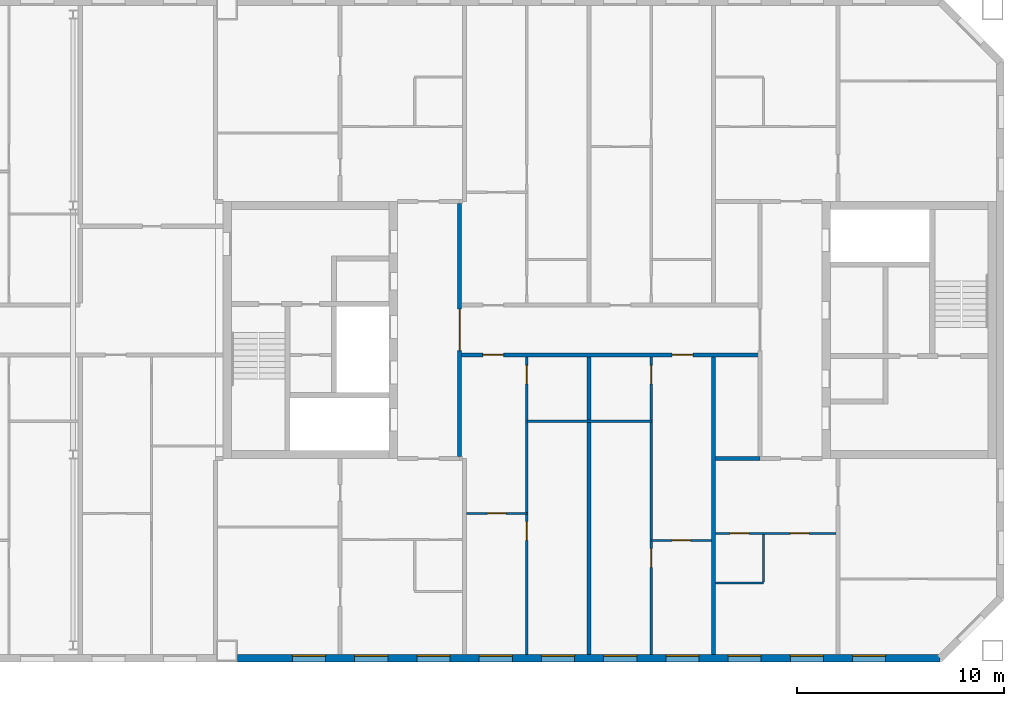
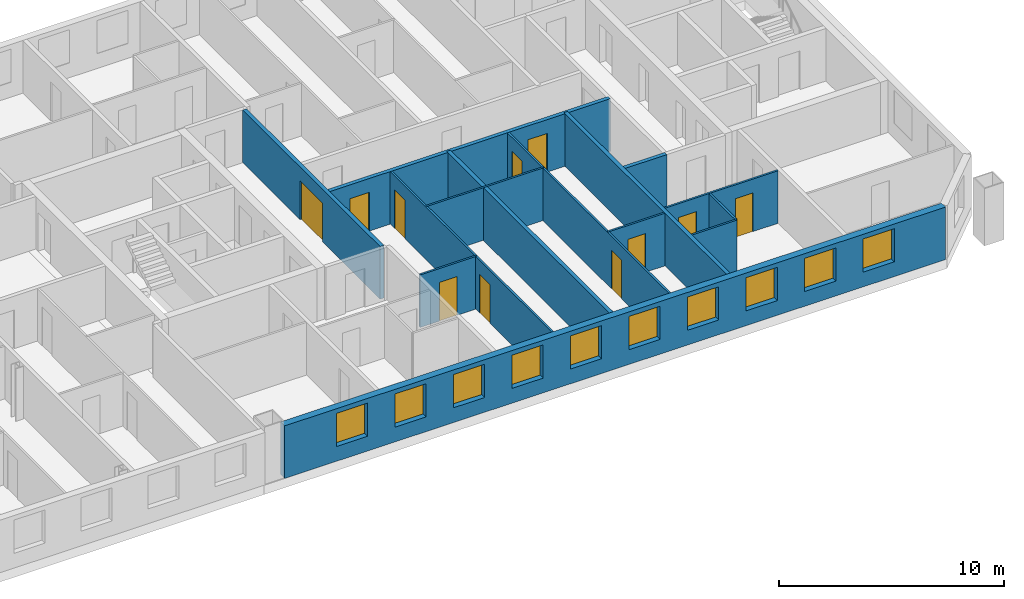
# One storey, part 14 of 19: 14 walls, 11 doors, 10 windows, 21 openings.
"""IFC4 building model written with IfcOpenShell, lengths in metres."""

from ifc_helpers import new_model, si_unit, direction, frame, frame_2d, origin, place, context, subcontext, project, spatial, rectangle, extrude, material, layer, layer_set, type_object, element, fill, save


model = new_model("IFC4")

# Units and contexts
model_context = context("Model", 3, precision=1e-05, world=origin(), true_north=direction((0.0, 1.0)))
body_context = subcontext(model_context, "Body", "Model", "MODEL_VIEW")
ifc_project = project(units=[si_unit("LENGTHUNIT", "METRE"), si_unit("AREAUNIT", "SQUARE_METRE"), si_unit("VOLUMEUNIT", "CUBIC_METRE"), si_unit("PLANEANGLEUNIT", "RADIAN"), si_unit("MASSUNIT", "GRAM", prefix="KILO")], contexts=[model_context])

# Site, building, storey
site_placement = place(None, origin())
site = spatial("IfcSite", under=ifc_project, at=site_placement, CompositionType="ELEMENT")
building_placement = place(site_placement, origin())
building = spatial("IfcBuilding", under=site, at=building_placement, Name="Tuart Gate Housing", CompositionType="ELEMENT")
storey_placement = place(building_placement, frame((0.0, 0.0, 202.800048828125)))
storey = spatial("IfcBuildingStorey", under=building, at=storey_placement, Name="L57", CompositionType="ELEMENT", Elevation=202.800048828125)

# Wall, openings, windows
ifc_material_1 = material(Name="Brick", Category="masonry")
ifc_layer_1 = layer(ifc_material_1, 0.360107421875)
ifc_layer_set_1 = layer_set([ifc_layer_1], Name="Brick pier and spandrel wall 360")
wall_type_1 = type_object("IfcWallType", Name="Brick pier and spandrel wall 360", PredefinedType="STANDARD", material=ifc_layer_set_1)
wall_1_placement = place(storey_placement, frame((132.050048828125, 54.179931640625, 0.0), z_axis=(0.0, 0.0, 1.0), x_axis=(1.0, 0.0, 0.0)))
wall_1 = element("IfcWall", 1, at=wall_1_placement, inside=storey, type_object=wall_type_1, Name="External wall BLK-S L57", PredefinedType="STANDARD", context=body_context, shape_type="SweptSolid", body=[
    extrude(rectangle(XDim=33.87548828125, YDim=0.360107421875, at=frame_2d((16.937744140625, 0.0))), origin(), (0.0, 0.0, 1.0), 2.849853515625),
])
opening_1_placement = place(wall_1_placement, frame((2.64990234375, 0.0, 0.800048828125)))
opening_1 = element("IfcOpeningElement", 2, at=opening_1_placement, cuts=wall_1, Name="Opening W1", PredefinedType="OPENING", context=body_context, shape_type="SweptSolid", body=[
    extrude(rectangle(XDim=1.60009765625, YDim=1.800048828125, at=frame_2d((0.800048828125, 0.89990234375))), frame((0.0, 0.18994140625, 0.0), z_axis=(0.0, -1.0, 0.0), x_axis=(1.0, 0.0, 0.0)), (0.0, 0.0, 1.0), 0.380126953125),
])
opening_2_placement = place(wall_1_placement, frame((5.64990234375, 0.0, 0.800048828125)))
opening_2 = element("IfcOpeningElement", 3, at=opening_2_placement, cuts=wall_1, Name="Opening W1", PredefinedType="OPENING", context=body_context, shape_type="SweptSolid", body=[
    extrude(rectangle(XDim=1.60009765625, YDim=1.800048828125, at=frame_2d((0.800048828125, 0.89990234375))), frame((0.0, 0.18994140625, 0.0), z_axis=(0.0, -1.0, 0.0), x_axis=(1.0, 0.0, 0.0)), (0.0, 0.0, 1.0), 0.380126953125),
])
opening_3_placement = place(wall_1_placement, frame((8.64990234375, 0.0, 0.800048828125)))
opening_3 = element("IfcOpeningElement", 4, at=opening_3_placement, cuts=wall_1, Name="Opening W1", PredefinedType="OPENING", context=body_context, shape_type="SweptSolid", body=[
    extrude(rectangle(XDim=1.60009765625, YDim=1.800048828125, at=frame_2d((0.800048828125, 0.89990234375))), frame((0.0, 0.18994140625, 0.0), z_axis=(0.0, -1.0, 0.0), x_axis=(1.0, 0.0, 0.0)), (0.0, 0.0, 1.0), 0.380126953125),
])
opening_4_placement = place(wall_1_placement, frame((11.64990234375, 0.0, 0.800048828125)))
opening_4 = element("IfcOpeningElement", 5, at=opening_4_placement, cuts=wall_1, Name="Opening W1", PredefinedType="OPENING", context=body_context, shape_type="SweptSolid", body=[
    extrude(rectangle(XDim=1.60009765625, YDim=1.800048828125, at=frame_2d((0.800048828125, 0.89990234375))), frame((0.0, 0.18994140625, 0.0), z_axis=(0.0, -1.0, 0.0), x_axis=(1.0, 0.0, 0.0)), (0.0, 0.0, 1.0), 0.380126953125),
])
opening_5_placement = place(wall_1_placement, frame((14.64990234375, 0.0, 0.800048828125)))
opening_5 = element("IfcOpeningElement", 6, at=opening_5_placement, cuts=wall_1, Name="Opening W1", PredefinedType="OPENING", context=body_context, shape_type="SweptSolid", body=[
    extrude(rectangle(XDim=1.60009765625, YDim=1.800048828125, at=frame_2d((0.800048828125, 0.89990234375))), frame((0.0, 0.18994140625, 0.0), z_axis=(0.0, -1.0, 0.0), x_axis=(1.0, 0.0, 0.0)), (0.0, 0.0, 1.0), 0.380126953125),
])
opening_6_placement = place(wall_1_placement, frame((17.64990234375, 0.0, 0.800048828125)))
opening_6 = element("IfcOpeningElement", 7, at=opening_6_placement, cuts=wall_1, Name="Opening W1", PredefinedType="OPENING", context=body_context, shape_type="SweptSolid", body=[
    extrude(rectangle(XDim=1.60009765625, YDim=1.800048828125, at=frame_2d((0.800048828125, 0.89990234375))), frame((0.0, 0.18994140625, 0.0), z_axis=(0.0, -1.0, 0.0), x_axis=(1.0, 0.0, 0.0)), (0.0, 0.0, 1.0), 0.380126953125),
])
opening_7_placement = place(wall_1_placement, frame((20.64990234375, 0.0, 0.800048828125)))
opening_7 = element("IfcOpeningElement", 8, at=opening_7_placement, cuts=wall_1, Name="Opening W1", PredefinedType="OPENING", context=body_context, shape_type="SweptSolid", body=[
    extrude(rectangle(XDim=1.60009765625, YDim=1.800048828125, at=frame_2d((0.800048828125, 0.89990234375))), frame((0.0, 0.18994140625, 0.0), z_axis=(0.0, -1.0, 0.0), x_axis=(1.0, 0.0, 0.0)), (0.0, 0.0, 1.0), 0.380126953125),
])
opening_8_placement = place(wall_1_placement, frame((23.64990234375, 0.0, 0.800048828125)))
opening_8 = element("IfcOpeningElement", 9, at=opening_8_placement, cuts=wall_1, Name="Opening W1", PredefinedType="OPENING", context=body_context, shape_type="SweptSolid", body=[
    extrude(rectangle(XDim=1.60009765625, YDim=1.800048828125, at=frame_2d((0.800048828125, 0.89990234375))), frame((0.0, 0.18994140625, 0.0), z_axis=(0.0, -1.0, 0.0), x_axis=(1.0, 0.0, 0.0)), (0.0, 0.0, 1.0), 0.380126953125),
])
opening_9_placement = place(wall_1_placement, frame((26.64990234375, 0.0, 0.800048828125)))
opening_9 = element("IfcOpeningElement", 10, at=opening_9_placement, cuts=wall_1, Name="Opening W1", PredefinedType="OPENING", context=body_context, shape_type="SweptSolid", body=[
    extrude(rectangle(XDim=1.60009765625, YDim=1.800048828125, at=frame_2d((0.800048828125, 0.89990234375))), frame((0.0, 0.18994140625, 0.0), z_axis=(0.0, -1.0, 0.0), x_axis=(1.0, 0.0, 0.0)), (0.0, 0.0, 1.0), 0.380126953125),
])
opening_10_placement = place(wall_1_placement, frame((29.64990234375, 0.0, 0.800048828125)))
opening_10 = element("IfcOpeningElement", 11, at=opening_10_placement, cuts=wall_1, Name="Opening W1", PredefinedType="OPENING", context=body_context, shape_type="SweptSolid", body=[
    extrude(rectangle(XDim=1.60009765625, YDim=1.800048828125, at=frame_2d((0.800048828125, 0.89990234375))), frame((0.0, 0.18994140625, 0.0), z_axis=(0.0, -1.0, 0.0), x_axis=(1.0, 0.0, 0.0)), (0.0, 0.0, 1.0), 0.380126953125),
])
ifc_material_2 = material(Name="Aluminium frame with clear glass", Category="aluminium")
window_type = type_object("IfcWindowType", Name="Punched window 1600 x 1800", PartitioningType="SINGLE_PANEL", PredefinedType="WINDOW", material=ifc_material_2)
window_1_placement = place(opening_1_placement, origin())
window_1 = element("IfcWindow", 12, at=window_1_placement, inside=storey, type_object=window_type, Name="Window W1", OverallHeight=1.800048828125, OverallWidth=1.60009765625, PartitioningType="SINGLE_PANEL", PredefinedType="WINDOW", context=body_context, shape_type="SweptSolid", body=[
    extrude(rectangle(XDim=1.60009765625, YDim=1.800048828125, at=frame_2d((0.800048828125, 0.89990234375))), frame((0.0, 0.150146484375, 0.0), z_axis=(0.0, -1.0, 0.0), x_axis=(1.0, 0.0, 0.0)), (0.0, 0.0, 1.0), 0.06005859375),
])
fill(opening_1, window_1)
window_2_placement = place(opening_2_placement, origin())
window_2 = element("IfcWindow", 13, at=window_2_placement, inside=storey, type_object=window_type, Name="Window W1", OverallHeight=1.800048828125, OverallWidth=1.60009765625, PartitioningType="SINGLE_PANEL", PredefinedType="WINDOW", context=body_context, shape_type="SweptSolid", body=[
    extrude(rectangle(XDim=1.60009765625, YDim=1.800048828125, at=frame_2d((0.800048828125, 0.89990234375))), frame((0.0, 0.150146484375, 0.0), z_axis=(0.0, -1.0, 0.0), x_axis=(1.0, 0.0, 0.0)), (0.0, 0.0, 1.0), 0.06005859375),
])
fill(opening_2, window_2)
window_3_placement = place(opening_3_placement, origin())
window_3 = element("IfcWindow", 14, at=window_3_placement, inside=storey, type_object=window_type, Name="Window W1", OverallHeight=1.800048828125, OverallWidth=1.60009765625, PartitioningType="SINGLE_PANEL", PredefinedType="WINDOW", context=body_context, shape_type="SweptSolid", body=[
    extrude(rectangle(XDim=1.60009765625, YDim=1.800048828125, at=frame_2d((0.800048828125, 0.89990234375))), frame((0.0, 0.150146484375, 0.0), z_axis=(0.0, -1.0, 0.0), x_axis=(1.0, 0.0, 0.0)), (0.0, 0.0, 1.0), 0.06005859375),
])
fill(opening_3, window_3)
window_4_placement = place(opening_4_placement, origin())
window_4 = element("IfcWindow", 15, at=window_4_placement, inside=storey, type_object=window_type, Name="Window W1", OverallHeight=1.800048828125, OverallWidth=1.60009765625, PartitioningType="SINGLE_PANEL", PredefinedType="WINDOW", context=body_context, shape_type="SweptSolid", body=[
    extrude(rectangle(XDim=1.60009765625, YDim=1.800048828125, at=frame_2d((0.800048828125, 0.89990234375))), frame((0.0, 0.150146484375, 0.0), z_axis=(0.0, -1.0, 0.0), x_axis=(1.0, 0.0, 0.0)), (0.0, 0.0, 1.0), 0.06005859375),
])
fill(opening_4, window_4)
window_5_placement = place(opening_5_placement, origin())
window_5 = element("IfcWindow", 16, at=window_5_placement, inside=storey, type_object=window_type, Name="Window W1", OverallHeight=1.800048828125, OverallWidth=1.60009765625, PartitioningType="SINGLE_PANEL", PredefinedType="WINDOW", context=body_context, shape_type="SweptSolid", body=[
    extrude(rectangle(XDim=1.60009765625, YDim=1.800048828125, at=frame_2d((0.800048828125, 0.89990234375))), frame((0.0, 0.150146484375, 0.0), z_axis=(0.0, -1.0, 0.0), x_axis=(1.0, 0.0, 0.0)), (0.0, 0.0, 1.0), 0.06005859375),
])
fill(opening_5, window_5)
window_6_placement = place(opening_6_placement, origin())
window_6 = element("IfcWindow", 17, at=window_6_placement, inside=storey, type_object=window_type, Name="Window W1", OverallHeight=1.800048828125, OverallWidth=1.60009765625, PartitioningType="SINGLE_PANEL", PredefinedType="WINDOW", context=body_context, shape_type="SweptSolid", body=[
    extrude(rectangle(XDim=1.60009765625, YDim=1.800048828125, at=frame_2d((0.800048828125, 0.89990234375))), frame((0.0, 0.150146484375, 0.0), z_axis=(0.0, -1.0, 0.0), x_axis=(1.0, 0.0, 0.0)), (0.0, 0.0, 1.0), 0.06005859375),
])
fill(opening_6, window_6)
window_7_placement = place(opening_7_placement, origin())
window_7 = element("IfcWindow", 18, at=window_7_placement, inside=storey, type_object=window_type, Name="Window W1", OverallHeight=1.800048828125, OverallWidth=1.60009765625, PartitioningType="SINGLE_PANEL", PredefinedType="WINDOW", context=body_context, shape_type="SweptSolid", body=[
    extrude(rectangle(XDim=1.60009765625, YDim=1.800048828125, at=frame_2d((0.800048828125, 0.89990234375))), frame((0.0, 0.150146484375, 0.0), z_axis=(0.0, -1.0, 0.0), x_axis=(1.0, 0.0, 0.0)), (0.0, 0.0, 1.0), 0.06005859375),
])
fill(opening_7, window_7)
window_8_placement = place(opening_8_placement, origin())
window_8 = element("IfcWindow", 19, at=window_8_placement, inside=storey, type_object=window_type, Name="Window W1", OverallHeight=1.800048828125, OverallWidth=1.60009765625, PartitioningType="SINGLE_PANEL", PredefinedType="WINDOW", context=body_context, shape_type="SweptSolid", body=[
    extrude(rectangle(XDim=1.60009765625, YDim=1.800048828125, at=frame_2d((0.800048828125, 0.89990234375))), frame((0.0, 0.150146484375, 0.0), z_axis=(0.0, -1.0, 0.0), x_axis=(1.0, 0.0, 0.0)), (0.0, 0.0, 1.0), 0.06005859375),
])
fill(opening_8, window_8)
window_9_placement = place(opening_9_placement, origin())
window_9 = element("IfcWindow", 20, at=window_9_placement, inside=storey, type_object=window_type, Name="Window W1", OverallHeight=1.800048828125, OverallWidth=1.60009765625, PartitioningType="SINGLE_PANEL", PredefinedType="WINDOW", context=body_context, shape_type="SweptSolid", body=[
    extrude(rectangle(XDim=1.60009765625, YDim=1.800048828125, at=frame_2d((0.800048828125, 0.89990234375))), frame((0.0, 0.150146484375, 0.0), z_axis=(0.0, -1.0, 0.0), x_axis=(1.0, 0.0, 0.0)), (0.0, 0.0, 1.0), 0.06005859375),
])
fill(opening_9, window_9)
window_10_placement = place(opening_10_placement, origin())
window_10 = element("IfcWindow", 21, at=window_10_placement, inside=storey, type_object=window_type, Name="Window W1", OverallHeight=1.800048828125, OverallWidth=1.60009765625, PartitioningType="SINGLE_PANEL", PredefinedType="WINDOW", context=body_context, shape_type="SweptSolid", body=[
    extrude(rectangle(XDim=1.60009765625, YDim=1.800048828125, at=frame_2d((0.800048828125, 0.89990234375))), frame((0.0, 0.150146484375, 0.0), z_axis=(0.0, -1.0, 0.0), x_axis=(1.0, 0.0, 0.0)), (0.0, 0.0, 1.0), 0.06005859375),
])
fill(opening_10, window_10)

# Wall, openings, doors
ifc_material_3 = material(Name="Concrete masonry 15 MPa", Category="masonry")
ifc_layer_2 = layer(ifc_material_3, 0.199951171875)
ifc_layer_set_2 = layer_set([ifc_layer_2], Name="Corridor wall masonry 200")
wall_type_2 = type_object("IfcWallType", Name="Corridor wall masonry 200", PredefinedType="PARTITIONING", material=ifc_layer_set_2)
wall_2_placement = place(storey_placement, frame((142.760009765625, 68.800048828125, 0.0), z_axis=(0.0, 0.0, 1.0), x_axis=(1.0, 0.0, 0.0)))
wall_2 = element("IfcWall", 22, at=wall_2_placement, inside=storey, type_object=wall_type_2, Name="Corridor wall masonry 200", PredefinedType="PARTITIONING", context=body_context, shape_type="SweptSolid", body=[
    extrude(rectangle(XDim=14.47998046875, YDim=0.199951171875, at=frame_2d((7.239990234375, 0.0))), origin(), (0.0, 0.0, 1.0), 2.849853515625),
])
opening_11_placement = place(wall_2_placement, frame((1.1201171875, 0.0, 0.0)))
opening_11 = element("IfcOpeningElement", 23, at=opening_11_placement, cuts=wall_2, Name="Opening D2089", PredefinedType="OPENING", context=body_context, shape_type="SweptSolid", body=[
    extrude(rectangle(XDim=1.0, YDim=2.10009765625, at=frame_2d((0.5, 1.050048828125))), frame((0.0, 0.10986328125, 0.0), z_axis=(0.0, -1.0, 0.0), x_axis=(1.0, 0.0, 0.0)), (0.0, 0.0, 1.0), 0.219970703125),
])
opening_12_placement = place(wall_2_placement, frame((10.239990234375, 0.0, 0.0)))
opening_12 = element("IfcOpeningElement", 24, at=opening_12_placement, cuts=wall_2, Name="Opening D2090", PredefinedType="OPENING", context=body_context, shape_type="SweptSolid", body=[
    extrude(rectangle(XDim=1.0, YDim=2.10009765625, at=frame_2d((0.5, 1.050048828125))), frame((0.0, 0.10986328125, 0.0), z_axis=(0.0, -1.0, 0.0), x_axis=(1.0, 0.0, 0.0)), (0.0, 0.0, 1.0), 0.219970703125),
])
ifc_material_4 = material(Name="Timber door leaf in steel frame", Category="steel")
door_type_1 = type_object("IfcDoorType", Name="Flat entrance door 1000 RH", OperationType="SINGLE_SWING_RIGHT", PredefinedType="DOOR", material=ifc_material_4)
door_1_placement = place(opening_11_placement, frame((1.0, 0.0, 0.0), z_axis=(0.0, 0.0, 1.0), x_axis=(-1.0, 0.0, 0.0)))
door_1 = element("IfcDoor", 25, at=door_1_placement, inside=storey, type_object=door_type_1, Name="Flat entrance door", OperationType="SINGLE_SWING_RIGHT", OverallHeight=2.10009765625, OverallWidth=1.0, PredefinedType="DOOR", context=body_context, shape_type="SweptSolid", body=[
    extrude(rectangle(XDim=1.0, YDim=2.10009765625, at=frame_2d((0.5, 1.050048828125))), frame((0.0, 0.025146484375, 0.0), z_axis=(0.0, -1.0, 0.0), x_axis=(1.0, 0.0, 0.0)), (0.0, 0.0, 1.0), 0.050048828125),
])
fill(opening_11, door_1)
door_2_placement = place(opening_12_placement, frame((1.0, 0.0, 0.0), z_axis=(0.0, 0.0, 1.0), x_axis=(-1.0, 0.0, 0.0)))
door_2 = element("IfcDoor", 26, at=door_2_placement, inside=storey, type_object=door_type_1, Name="Flat entrance door", OperationType="SINGLE_SWING_RIGHT", OverallHeight=2.10009765625, OverallWidth=1.0, PredefinedType="DOOR", context=body_context, shape_type="SweptSolid", body=[
    extrude(rectangle(XDim=1.0, YDim=2.10009765625, at=frame_2d((0.5, 1.050048828125))), frame((0.0, 0.025146484375, 0.0), z_axis=(0.0, -1.0, 0.0), x_axis=(1.0, 0.0, 0.0)), (0.0, 0.0, 1.0), 0.050048828125),
])
fill(opening_12, door_2)

# Wall, opening, door
ifc_material_5 = material(Name="Plasterboard partition")
ifc_layer_3 = layer(ifc_material_5, 0.199951171875)
ifc_layer_set_3 = layer_set([ifc_layer_3], Name="Lobby wall 200")
wall_type_3 = type_object("IfcWallType", Name="Lobby wall 200", PredefinedType="PARTITIONING", material=ifc_layer_set_3)
wall_3_placement = place(storey_placement, frame((142.760009765625, 63.89990234375, 0.0), z_axis=(0.0, 0.0, 1.0), x_axis=(0.0, 1.0, 0.0)))
wall_3 = element("IfcWall", 27, at=wall_3_placement, inside=storey, type_object=wall_type_3, Name="Lift lobby wall BG", PredefinedType="PARTITIONING", context=body_context, shape_type="SweptSolid", body=[
    extrude(rectangle(XDim=12.2001953125, YDim=0.199951171875, at=frame_2d((6.10009765625, 0.0))), origin(), (0.0, 0.0, 1.0), 2.849853515625),
])
opening_13_placement = place(wall_3_placement, frame((5.10009765625, 0.0, 0.0)))
opening_13 = element("IfcOpeningElement", 28, at=opening_13_placement, cuts=wall_3, Name="Opening D2083", PredefinedType="OPENING", context=body_context, shape_type="SweptSolid", body=[
    extrude(rectangle(XDim=2.0, YDim=2.10009765625, at=frame_2d((1.0, 1.050048828125))), frame((0.0, 0.10986328125, 0.0), z_axis=(0.0, -1.0, 0.0), x_axis=(1.0, 0.0, 0.0)), (0.0, 0.0, 1.0), 0.219970703125),
])
ifc_material_6 = material(Name="Steel fire door", Category="steel")
door_type_2 = type_object("IfcDoorType", Name="Smoke door 2000 x 2100", OperationType="DOUBLE_DOOR_SINGLE_SWING", PredefinedType="DOOR", material=ifc_material_6)
door_3_placement = place(opening_13_placement, origin())
door_3 = element("IfcDoor", 29, at=door_3_placement, inside=storey, type_object=door_type_2, Name="Lift lobby smoke door BG", OperationType="DOUBLE_DOOR_SINGLE_SWING", OverallHeight=2.10009765625, OverallWidth=2.0, PredefinedType="DOOR", context=body_context, shape_type="SweptSolid", body=[
    extrude(rectangle(XDim=2.0, YDim=2.10009765625, at=frame_2d((1.0, 1.050048828125))), frame((0.0, 0.02490234375, 0.0), z_axis=(0.0, -1.0, 0.0), x_axis=(1.0, 0.0, 0.0)), (0.0, 0.0, 1.0), 0.050048828125),
])
fill(opening_13, door_3)

# Wall
ifc_material_7 = material(Name="Gypsum board on steel studs", Category="steel")
ifc_layer_4 = layer(ifc_material_7, 0.10009765625)
ifc_layer_set_4 = layer_set([ifc_layer_4], Name="Partition 100")
wall_type_4 = type_object("IfcWallType", Name="Partition 100", PredefinedType="PARTITIONING", material=ifc_layer_set_4)
wall_4_placement = place(storey_placement, frame((155.10009765625, 57.800048828125, 0.0), z_axis=(0.0, 0.0, 1.0), x_axis=(1.0, 0.0, 0.0)))
element("IfcWall", 30, at=wall_4_placement, inside=storey, type_object=wall_type_4, Name="Partition 100", PredefinedType="PARTITIONING", context=body_context, shape_type="SweptSolid", body=[
    extrude(rectangle(XDim=2.2998046875, YDim=0.10009765625, at=frame_2d((1.14990234375, 0.0))), origin(), (0.0, 0.0, 1.0), 2.849853515625),
])

# Wall, opening, door
wall_5_placement = place(storey_placement, frame((152.0, 59.860107421875, 0.0), z_axis=(0.0, 0.0, 1.0), x_axis=(1.0, 0.0, 0.0)))
wall_5 = element("IfcWall", 31, at=wall_5_placement, inside=storey, type_object=wall_type_4, Name="Partition 100", PredefinedType="PARTITIONING", context=body_context, shape_type="SweptSolid", body=[
    extrude(rectangle(XDim=2.89990234375, YDim=0.10009765625, at=frame_2d((1.449951171875, 0.0))), origin(), (0.0, 0.0, 1.0), 2.849853515625),
])
opening_14_placement = place(wall_5_placement, frame((1.0, 0.0, 0.0)))
opening_14 = element("IfcOpeningElement", 32, at=opening_14_placement, cuts=wall_5, Name="Opening D2104", PredefinedType="OPENING", context=body_context, shape_type="SweptSolid", body=[
    extrude(rectangle(XDim=0.89990234375, YDim=2.10009765625, at=frame_2d((0.449951171875, 1.050048828125))), frame((0.0, 0.06005859375, 0.0), z_axis=(0.0, -1.0, 0.0), x_axis=(1.0, 0.0, 0.0)), (0.0, 0.0, 1.0), 0.1201171875),
])
ifc_material_8 = material(Name="Timber door leaf in steel frame", Category="steel")
door_type_3 = type_object("IfcDoorType", Name="Internal door 900", OperationType="SINGLE_SWING_LEFT", PredefinedType="DOOR", material=ifc_material_8)
door_4_placement = place(opening_14_placement, origin())
door_4 = element("IfcDoor", 33, at=door_4_placement, inside=storey, type_object=door_type_3, Name="Internal door", OperationType="SINGLE_SWING_LEFT", OverallHeight=2.10009765625, OverallWidth=0.89990234375, PredefinedType="DOOR", context=body_context, shape_type="SweptSolid", body=[
    extrude(rectangle(XDim=0.89990234375, YDim=2.10009765625, at=frame_2d((0.449951171875, 1.050048828125))), frame((0.0, 0.02490234375, 0.0), z_axis=(0.0, -1.0, 0.0), x_axis=(1.0, 0.0, 0.0)), (0.0, 0.0, 1.0), 0.050048828125),
])
fill(opening_14, door_4)

# Wall, openings, doors
wall_6_placement = place(storey_placement, frame((155.10009765625, 60.199951171875, 0.0), z_axis=(0.0, 0.0, 1.0), x_axis=(1.0, 0.0, 0.0)))
wall_6 = element("IfcWall", 34, at=wall_6_placement, inside=storey, type_object=wall_type_4, Name="Partition 100", PredefinedType="PARTITIONING", context=body_context, shape_type="SweptSolid", body=[
    extrude(rectangle(XDim=5.7998046875, YDim=0.10009765625, at=frame_2d((2.89990234375, 0.0))), origin(), (0.0, 0.0, 1.0), 2.849853515625),
])
opening_15_placement = place(wall_6_placement, frame((3.60009765625, 0.0, 0.0)))
opening_15 = element("IfcOpeningElement", 35, at=opening_15_placement, cuts=wall_6, Name="Opening D2101", PredefinedType="OPENING", context=body_context, shape_type="SweptSolid", body=[
    extrude(rectangle(XDim=0.89990234375, YDim=2.10009765625, at=frame_2d((0.449951171875, 1.050048828125))), frame((0.0, 0.06005859375, 0.0), z_axis=(0.0, -1.0, 0.0), x_axis=(1.0, 0.0, 0.0)), (0.0, 0.0, 1.0), 0.1201171875),
])
opening_16_placement = place(wall_6_placement, frame((0.699951171875, 0.0, 0.0)))
opening_16 = element("IfcOpeningElement", 36, at=opening_16_placement, cuts=wall_6, Name="Opening D2100", PredefinedType="OPENING", context=body_context, shape_type="SweptSolid", body=[
    extrude(rectangle(XDim=0.89990234375, YDim=2.10009765625, at=frame_2d((0.449951171875, 1.050048828125))), frame((0.0, 0.06005859375, 0.0), z_axis=(0.0, -1.0, 0.0), x_axis=(1.0, 0.0, 0.0)), (0.0, 0.0, 1.0), 0.1201171875),
])
ifc_material_9 = material(Name="Timber door leaf in steel frame", Category="steel")
door_type_4 = type_object("IfcDoorType", Name="Bathroom door 900", OperationType="SINGLE_SWING_LEFT", PredefinedType="DOOR", material=ifc_material_9)
door_5_placement = place(opening_16_placement, frame((0.89990234375, 0.0, 0.0), z_axis=(0.0, 0.0, 1.0), x_axis=(-1.0, 0.0, 0.0)))
door_5 = element("IfcDoor", 37, at=door_5_placement, inside=storey, type_object=door_type_4, Name="Bathroom door", OperationType="SINGLE_SWING_LEFT", OverallHeight=2.10009765625, OverallWidth=0.89990234375, PredefinedType="DOOR", context=body_context, shape_type="SweptSolid", body=[
    extrude(rectangle(XDim=0.89990234375, YDim=2.10009765625, at=frame_2d((0.449951171875, 1.050048828125))), frame((0.0, 0.025146484375, 0.0), z_axis=(0.0, -1.0, 0.0), x_axis=(1.0, 0.0, 0.0)), (0.0, 0.0, 1.0), 0.050048828125),
])
fill(opening_16, door_5)
ifc_material_10 = material(Name="Timber door leaf in steel frame", Category="steel")
door_type_5 = type_object("IfcDoorType", Name="Internal door 900 RH", OperationType="SINGLE_SWING_RIGHT", PredefinedType="DOOR", material=ifc_material_10)
door_6_placement = place(opening_15_placement, frame((0.89990234375, 0.0, 0.0), z_axis=(0.0, 0.0, 1.0), x_axis=(-1.0, 0.0, 0.0)))
door_6 = element("IfcDoor", 38, at=door_6_placement, inside=storey, type_object=door_type_5, Name="Internal door", OperationType="SINGLE_SWING_RIGHT", OverallHeight=2.10009765625, OverallWidth=0.89990234375, PredefinedType="DOOR", context=body_context, shape_type="SweptSolid", body=[
    extrude(rectangle(XDim=0.89990234375, YDim=2.10009765625, at=frame_2d((0.449951171875, 1.050048828125))), frame((0.0, 0.025146484375, 0.0), z_axis=(0.0, -1.0, 0.0), x_axis=(1.0, 0.0, 0.0)), (0.0, 0.0, 1.0), 0.050048828125),
])
fill(opening_15, door_6)

# Wall, opening, door
wall_7_placement = place(storey_placement, frame((143.10009765625, 61.159912109375, 0.0), z_axis=(0.0, 0.0, 1.0), x_axis=(1.0, 0.0, 0.0)))
wall_7 = element("IfcWall", 39, at=wall_7_placement, inside=storey, type_object=wall_type_4, Name="Partition 100", PredefinedType="PARTITIONING", context=body_context, shape_type="SweptSolid", body=[
    extrude(rectangle(XDim=2.89990234375, YDim=0.10009765625, at=frame_2d((1.449951171875, 0.0))), origin(), (0.0, 0.0, 1.0), 2.849853515625),
])
opening_17_placement = place(wall_7_placement, frame((1.0, 0.0, 0.0)))
opening_17 = element("IfcOpeningElement", 40, at=opening_17_placement, cuts=wall_7, Name="Opening D2099", PredefinedType="OPENING", context=body_context, shape_type="SweptSolid", body=[
    extrude(rectangle(XDim=0.89990234375, YDim=2.10009765625, at=frame_2d((0.449951171875, 1.050048828125))), frame((0.0, 0.06005859375, 0.0), z_axis=(0.0, -1.0, 0.0), x_axis=(1.0, 0.0, 0.0)), (0.0, 0.0, 1.0), 0.1201171875),
])
door_7_placement = place(opening_17_placement, origin())
door_7 = element("IfcDoor", 41, at=door_7_placement, inside=storey, type_object=door_type_5, Name="Internal door", OperationType="SINGLE_SWING_RIGHT", OverallHeight=2.10009765625, OverallWidth=0.89990234375, PredefinedType="DOOR", context=body_context, shape_type="SweptSolid", body=[
    extrude(rectangle(XDim=0.89990234375, YDim=2.10009765625, at=frame_2d((0.449951171875, 1.050048828125))), frame((0.0, 0.02490234375, 0.0), z_axis=(0.0, -1.0, 0.0), x_axis=(1.0, 0.0, 0.0)), (0.0, 0.0, 1.0), 0.050048828125),
])
fill(opening_17, door_7)

# Wall
wall_8_placement = place(storey_placement, frame((146.0, 65.60009765625, 0.0), z_axis=(0.0, 0.0, 1.0), x_axis=(1.0, 0.0, 0.0)))
element("IfcWall", 42, at=wall_8_placement, inside=storey, type_object=wall_type_4, Name="Partition 100", PredefinedType="PARTITIONING", context=body_context, shape_type="SweptSolid", body=[
    extrude(rectangle(XDim=6.0, YDim=0.10009765625, at=frame_2d((3.0, 0.0))), origin(), (0.0, 0.0, 1.0), 2.849853515625),
])

# Wall, openings, doors
wall_9_placement = place(storey_placement, frame((146.0, 54.360107421875, 0.0), z_axis=(0.0, 0.0, 1.0), x_axis=(0.0, 1.0, 0.0)))
wall_9 = element("IfcWall", 43, at=wall_9_placement, inside=storey, type_object=wall_type_4, Name="Partition 100", PredefinedType="PARTITIONING", context=body_context, shape_type="SweptSolid", body=[
    extrude(rectangle(XDim=14.33984375, YDim=0.10009765625, at=frame_2d((7.169921875, 0.0))), origin(), (0.0, 0.0, 1.0), 2.849853515625),
])
opening_18_placement = place(wall_9_placement, frame((5.5, 0.0, 0.0)))
opening_18 = element("IfcOpeningElement", 44, at=opening_18_placement, cuts=wall_9, Name="Opening D2096", PredefinedType="OPENING", context=body_context, shape_type="SweptSolid", body=[
    extrude(rectangle(XDim=0.89990234375, YDim=2.10009765625, at=frame_2d((0.449951171875, 1.050048828125))), frame((0.0, 0.06005859375, 0.0), z_axis=(0.0, -1.0, 0.0), x_axis=(1.0, 0.0, 0.0)), (0.0, 0.0, 1.0), 0.1201171875),
])
opening_19_placement = place(wall_9_placement, frame((13.0400390625, 0.0, 0.0)))
opening_19 = element("IfcOpeningElement", 45, at=opening_19_placement, cuts=wall_9, Name="Opening D2095", PredefinedType="OPENING", context=body_context, shape_type="SweptSolid", body=[
    extrude(rectangle(XDim=0.89990234375, YDim=2.10009765625, at=frame_2d((0.449951171875, 1.050048828125))), frame((0.0, 0.06005859375, 0.0), z_axis=(0.0, -1.0, 0.0), x_axis=(1.0, 0.0, 0.0)), (0.0, 0.0, 1.0), 0.1201171875),
])
door_8_placement = place(opening_19_placement, frame((0.89990234375, 0.0, 0.0), z_axis=(0.0, 0.0, 1.0), x_axis=(-1.0, 0.0, 0.0)))
door_8 = element("IfcDoor", 46, at=door_8_placement, inside=storey, type_object=door_type_4, Name="Bathroom door", OperationType="SINGLE_SWING_LEFT", OverallHeight=2.10009765625, OverallWidth=0.89990234375, PredefinedType="DOOR", context=body_context, shape_type="SweptSolid", body=[
    extrude(rectangle(XDim=0.89990234375, YDim=2.10009765625, at=frame_2d((0.449951171875, 1.050048828125))), frame((0.0, 0.025146484375, 0.0), z_axis=(0.0, -1.0, 0.0), x_axis=(1.0, 0.0, 0.0)), (0.0, 0.0, 1.0), 0.050048828125),
])
fill(opening_19, door_8)
door_9_placement = place(opening_18_placement, frame((0.89990234375, 0.0, 0.0), z_axis=(0.0, 0.0, 1.0), x_axis=(-1.0, 0.0, 0.0)))
door_9 = element("IfcDoor", 47, at=door_9_placement, inside=storey, type_object=door_type_3, Name="Internal door", OperationType="SINGLE_SWING_LEFT", OverallHeight=2.10009765625, OverallWidth=0.89990234375, PredefinedType="DOOR", context=body_context, shape_type="SweptSolid", body=[
    extrude(rectangle(XDim=0.89990234375, YDim=2.10009765625, at=frame_2d((0.449951171875, 1.050048828125))), frame((0.0, 0.025146484375, 0.0), z_axis=(0.0, -1.0, 0.0), x_axis=(1.0, 0.0, 0.0)), (0.0, 0.0, 1.0), 0.050048828125),
])
fill(opening_18, door_9)

wall_10_placement = place(storey_placement, frame((152.0, 54.360107421875, 0.0), z_axis=(0.0, 0.0, 1.0), x_axis=(0.0, 1.0, 0.0)))
wall_10 = element("IfcWall", 48, at=wall_10_placement, inside=storey, type_object=wall_type_4, Name="Partition 100", PredefinedType="PARTITIONING", context=body_context, shape_type="SweptSolid", body=[
    extrude(rectangle(XDim=14.33984375, YDim=0.10009765625, at=frame_2d((7.169921875, 0.0))), origin(), (0.0, 0.0, 1.0), 2.849853515625),
])
opening_20_placement = place(wall_10_placement, frame((4.199951171875, 0.0, 0.0)))
opening_20 = element("IfcOpeningElement", 49, at=opening_20_placement, cuts=wall_10, Name="Opening D2098", PredefinedType="OPENING", context=body_context, shape_type="SweptSolid", body=[
    extrude(rectangle(XDim=0.89990234375, YDim=2.10009765625, at=frame_2d((0.449951171875, 1.050048828125))), frame((0.0, 0.06005859375, 0.0), z_axis=(0.0, -1.0, 0.0), x_axis=(1.0, 0.0, 0.0)), (0.0, 0.0, 1.0), 0.1201171875),
])
opening_21_placement = place(wall_10_placement, frame((13.0400390625, 0.0, 0.0)))
opening_21 = element("IfcOpeningElement", 50, at=opening_21_placement, cuts=wall_10, Name="Opening D2097", PredefinedType="OPENING", context=body_context, shape_type="SweptSolid", body=[
    extrude(rectangle(XDim=0.89990234375, YDim=2.10009765625, at=frame_2d((0.449951171875, 1.050048828125))), frame((0.0, 0.06005859375, 0.0), z_axis=(0.0, -1.0, 0.0), x_axis=(1.0, 0.0, 0.0)), (0.0, 0.0, 1.0), 0.1201171875),
])
ifc_material_11 = material(Name="Timber door leaf in steel frame", Category="steel")
door_type_6 = type_object("IfcDoorType", Name="Bathroom door 900 RH", OperationType="SINGLE_SWING_RIGHT", PredefinedType="DOOR", material=ifc_material_11)
door_10_placement = place(opening_21_placement, origin())
door_10 = element("IfcDoor", 51, at=door_10_placement, inside=storey, type_object=door_type_6, Name="Bathroom door", OperationType="SINGLE_SWING_RIGHT", OverallHeight=2.10009765625, OverallWidth=0.89990234375, PredefinedType="DOOR", context=body_context, shape_type="SweptSolid", body=[
    extrude(rectangle(XDim=0.89990234375, YDim=2.10009765625, at=frame_2d((0.449951171875, 1.050048828125))), frame((0.0, 0.02490234375, 0.0), z_axis=(0.0, -1.0, 0.0), x_axis=(1.0, 0.0, 0.0)), (0.0, 0.0, 1.0), 0.050048828125),
])
fill(opening_21, door_10)
door_11_placement = place(opening_20_placement, origin())
door_11 = element("IfcDoor", 52, at=door_11_placement, inside=storey, type_object=door_type_3, Name="Internal door", OperationType="SINGLE_SWING_LEFT", OverallHeight=2.10009765625, OverallWidth=0.89990234375, PredefinedType="DOOR", context=body_context, shape_type="SweptSolid", body=[
    extrude(rectangle(XDim=0.89990234375, YDim=2.10009765625, at=frame_2d((0.449951171875, 1.050048828125))), frame((0.0, 0.02490234375, 0.0), z_axis=(0.0, -1.0, 0.0), x_axis=(1.0, 0.0, 0.0)), (0.0, 0.0, 1.0), 0.050048828125),
])
fill(opening_20, door_11)

# Walls
wall_11_placement = place(storey_placement, frame((157.39990234375, 57.85009765625, 0.0), z_axis=(0.0, 0.0, 1.0), x_axis=(0.0, 1.0, 0.0)))
element("IfcWall", 53, at=wall_11_placement, inside=storey, type_object=wall_type_4, Name="Partition 100", PredefinedType="PARTITIONING", context=body_context, shape_type="SweptSolid", body=[
    extrude(rectangle(XDim=2.2998046875, YDim=0.10009765625, at=frame_2d((1.14990234375, 0.0))), origin(), (0.0, 0.0, 1.0), 2.849853515625),
])
ifc_material_12 = material(Name="Concrete C40", Category="concrete")
ifc_layer_5 = layer(ifc_material_12, 0.199951171875)
ifc_layer_set_5 = layer_set([ifc_layer_5], Name="Party wall concrete C40 200")
wall_type_5 = type_object("IfcWallType", Name="Party wall concrete C40 200", PredefinedType="SOLIDWALL", material=ifc_layer_set_5)
for number, where, z_axis, x_axis, name in (
    (54, (149.0, 54.360107421875, 0.0), (0.0, 0.0, 1.0), (0.0, 1.0, 0.0), "Party wall concrete C40 200"),
    (55, (155.0, 54.360107421875, 0.0), (0.0, 0.0, 1.0), (0.0, 1.0, 0.0), "Party wall concrete C40 200"),
):
    element("IfcWall", number, at=place(storey_placement, frame(where, z_axis=z_axis, x_axis=x_axis)), inside=storey, type_object=wall_type_5, Name=name, PredefinedType="SOLIDWALL", context=body_context, shape_type="SweptSolid", body=[
        extrude(rectangle(XDim=14.43994140625, YDim=0.199951171875, at=frame_2d((7.219970703125, 0.0))), origin(), (0.0, 0.0, 1.0), 2.849853515625),
    ])
ifc_material_13 = material(Name="Concrete masonry 15 MPa", Category="masonry")
ifc_layer_6 = layer(ifc_material_13, 0.199951171875)
ifc_layer_set_6 = layer_set([ifc_layer_6], Name="Party wall masonry 200")
wall_type_6 = type_object("IfcWallType", Name="Party wall masonry 200", PredefinedType="PARTITIONING", material=ifc_layer_set_6)
wall_12_placement = place(storey_placement, frame((155.10009765625, 63.800048828125, 0.0), z_axis=(0.0, 0.0, 1.0), x_axis=(1.0, 0.0, 0.0)))
element("IfcWall", 56, at=wall_12_placement, inside=storey, type_object=wall_type_6, Name="Party wall masonry 200", PredefinedType="PARTITIONING", context=body_context, shape_type="SweptSolid", body=[
    extrude(rectangle(XDim=2.139892578125, YDim=0.199951171875, at=frame_2d((1.06982421875, 0.0))), origin(), (0.0, 0.0, 1.0), 2.849853515625),
])

save(model, "model.ifc")
